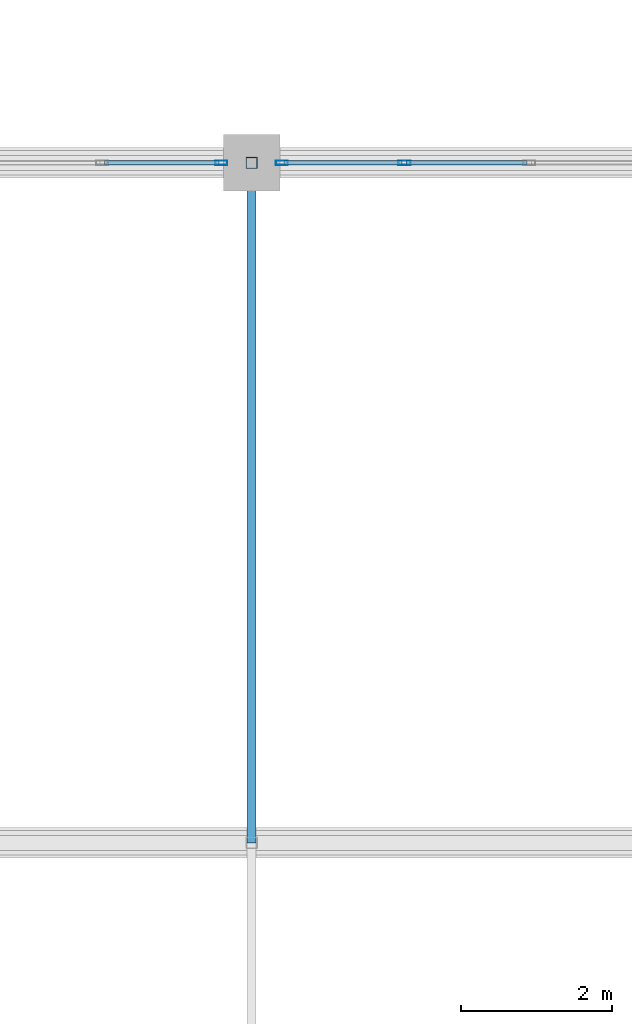
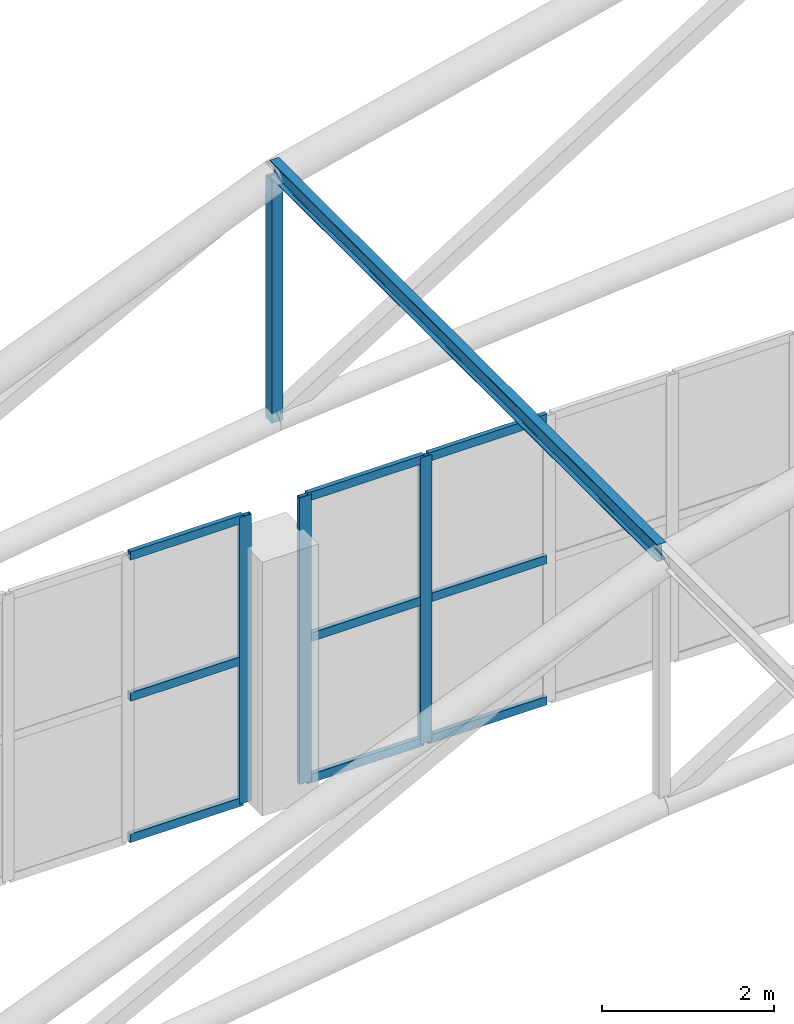
# One storey, part 103 of 167: 14 members, 2 elements without a shape of their own.
"""IFC4 building model written with IfcOpenShell, lengths in metres."""

from ifc_helpers import new_model, si_unit, direction, frame, origin, origin_2d, place, context, subcontext, project, spatial, hollow_rectangle, i_section, extrude, material, layer, layer_set, material_profile, profile_set, type_object, element, aggregate, save


model = new_model("IFC4")

# Units and contexts
model_context = context("Model", 3, precision=1e-05, world=origin(), true_north=direction((0.0, 1.0)))
body_context = subcontext(model_context, "Body", "Model", "MODEL_VIEW")
ifc_project = project(units=[si_unit("LENGTHUNIT", "METRE"), si_unit("AREAUNIT", "SQUARE_METRE"), si_unit("VOLUMEUNIT", "CUBIC_METRE"), si_unit("PLANEANGLEUNIT", "RADIAN"), si_unit("MASSUNIT", "GRAM", prefix="KILO")], contexts=[model_context])

# Site, building, storey
site_placement = place(None, origin())
site = spatial("IfcSite", under=ifc_project, at=site_placement, CompositionType="ELEMENT")
building_placement = place(site_placement, origin())
building = spatial("IfcBuilding", under=site, at=building_placement, Name="Dornveld Trade and Exhibition Forum", CompositionType="ELEMENT")
storey_placement = place(building_placement, frame((0.0, 0.0, 16.800048828125)))
storey = spatial("IfcBuildingStorey", under=building, at=storey_placement, Name="L03", CompositionType="ELEMENT", Elevation=16.800048828125)

# Curtain wall, member
ifc_material_1 = material(Name="Dark-bronze anodised aluminium and low-E glass", Category="aluminium")
ifc_layer_1 = layer(ifc_material_1, 0.18408203125)
ifc_layer_set_1 = layer_set([ifc_layer_1], Name="Dark-bronze anodised aluminium and low-E glass")
curtain_wall_type_1 = type_object("IfcCurtainWallType", Name="CW-SYS-14", PredefinedType="USERDEFINED", material=ifc_layer_set_1)
curtain_wall_1_placement = place(storey_placement, origin())
curtain_wall_1 = element("IfcCurtainWall", 1, at=curtain_wall_1_placement, inside=storey, type_object=curtain_wall_type_1, Name="L03 unitised curtain wall 32", ObjectType="UNITISED_CURTAIN_WALL", PredefinedType="USERDEFINED")
ifc_material_2 = material(Name="Dark-bronze anodised aluminium", Category="aluminium")
ifc_material_profile_1 = material_profile(ifc_material_2, hollow_rectangle(XDim=0.06005859375, YDim=0.159912109375, WallThickness=0.00390625, at=origin_2d()), Name="RHS 160x60x4")
ifc_profile_set_1 = profile_set([ifc_material_profile_1], Name="Dark-bronze anodised aluminium")
member_type_1 = type_object("IfcMemberType", Name="CW-MUL-160", PredefinedType="MULLION", material=ifc_profile_set_1)
member_1_placement = place(storey_placement, frame((35.59912109375, 135.0, -0.004150390625), z_axis=(0.0, 0.0, 1.0), x_axis=(0.0, -1.0, 0.0)))
member_1 = element("IfcMember", 2, at=member_1_placement, type_object=member_type_1, Name="CW-14 mullion 1", PredefinedType="MULLION", context=body_context, shape_type="SweptSolid", body=[
    extrude(hollow_rectangle(XDim=0.06005859375, YDim=0.159912109375, WallThickness=0.00390625, at=origin_2d()), origin(), (0.0, 0.0, 1.0), 4.064208984375),
])

# Curtain wall, members
ifc_material_3 = material(Name="Dark-bronze anodised aluminium and low-E glass", Category="aluminium")
ifc_layer_2 = layer(ifc_material_3, 0.18994140625)
ifc_layer_set_2 = layer_set([ifc_layer_2], Name="Dark-bronze anodised aluminium and low-E glass")
curtain_wall_type_2 = type_object("IfcCurtainWallType", Name="CW-SYS-16", PredefinedType="USERDEFINED", material=ifc_layer_set_2)
curtain_wall_2_placement = place(storey_placement, origin())
curtain_wall_2 = element("IfcCurtainWall", 3, at=curtain_wall_2_placement, inside=storey, type_object=curtain_wall_type_2, Name="L03 unitised curtain wall 34", ObjectType="UNITISED_CURTAIN_WALL", PredefinedType="USERDEFINED")
member_2_placement = place(storey_placement, frame((38.022705078125, 135.0, -0.004150390625), z_axis=(0.0, 0.0, 1.0), x_axis=(0.0, -1.0, 0.0)))
member_2 = element("IfcMember", 4, at=member_2_placement, type_object=member_type_1, Name="CW-16 mullion 5", PredefinedType="MULLION", context=body_context, shape_type="SweptSolid", body=[
    extrude(hollow_rectangle(XDim=0.06005859375, YDim=0.159912109375, WallThickness=0.00390625, at=origin_2d()), origin(), (0.0, 0.0, 1.0), 4.064208984375),
])
member_3_placement = place(storey_placement, frame((36.40087890625, 135.0, -0.004150390625), z_axis=(0.0, 0.0, 1.0), x_axis=(0.0, -1.0, 0.0)))
member_3 = element("IfcMember", 5, at=member_3_placement, type_object=member_type_1, Name="CW-16 mullion 6", PredefinedType="MULLION", context=body_context, shape_type="SweptSolid", body=[
    extrude(hollow_rectangle(XDim=0.06005859375, YDim=0.159912109375, WallThickness=0.00390625, at=origin_2d()), origin(), (0.0, 0.0, 1.0), 4.064208984375),
])

# Member
ifc_material_4 = material(Name="Dark-bronze anodised aluminium", Category="aluminium")
ifc_material_profile_2 = material_profile(ifc_material_4, hollow_rectangle(XDim=0.06005859375, YDim=0.1201171875, WallThickness=0.00390625, at=origin_2d()), Name="RHS 120x60x4")
ifc_profile_set_2 = profile_set([ifc_material_profile_2], Name="Dark-bronze anodised aluminium")
member_type_2 = type_object("IfcMemberType", Name="CW-TRN-120", PredefinedType="USERDEFINED", material=ifc_profile_set_2)
member_4_placement = place(storey_placement, frame((35.569091796875, 135.0, 0.02587890625), z_axis=(-1.0, 0.0, 0.0), x_axis=(0.0, -1.0, 0.0)))
member_4 = element("IfcMember", 6, at=member_4_placement, type_object=member_type_2, Name="CW-14 transom 1.1", ObjectType="TRANSOM", PredefinedType="USERDEFINED", context=body_context, shape_type="SweptSolid", body=[
    extrude(hollow_rectangle(XDim=0.06005859375, YDim=0.1201171875, WallThickness=0.00390625, at=origin_2d()), origin(), (0.0, 0.0, 1.0), 1.5166015625),
])

member_5_placement = place(storey_placement, frame((35.569091796875, 135.0, 2.02783203125), z_axis=(-1.0, 0.0, 0.0), x_axis=(0.0, -1.0, 0.0)))
member_5 = element("IfcMember", 7, at=member_5_placement, type_object=member_type_2, Name="CW-14 transom 1.2", ObjectType="TRANSOM", PredefinedType="USERDEFINED", context=body_context, shape_type="SweptSolid", body=[
    extrude(hollow_rectangle(XDim=0.06005859375, YDim=0.1201171875, WallThickness=0.00390625, at=origin_2d()), origin(), (0.0, 0.0, 1.0), 1.5166015625),
])

member_6_placement = place(storey_placement, frame((35.569091796875, 135.0, 4.030029296875), z_axis=(-1.0, 0.0, 0.0), x_axis=(0.0, -1.0, 0.0)))
member_6 = element("IfcMember", 8, at=member_6_placement, type_object=member_type_2, Name="CW-14 transom 1.3", ObjectType="TRANSOM", PredefinedType="USERDEFINED", context=body_context, shape_type="SweptSolid", body=[
    extrude(hollow_rectangle(XDim=0.06005859375, YDim=0.1201171875, WallThickness=0.00390625, at=origin_2d()), origin(), (0.0, 0.0, 1.0), 1.5166015625),
])

aggregate(curtain_wall_1, [member_1, member_4, member_5, member_6])

member_7_placement = place(storey_placement, frame((39.644287109375, 135.0, 0.02587890625), z_axis=(-1.0, 0.0, 0.0), x_axis=(0.0, -1.0, 0.0)))
member_7 = element("IfcMember", 9, at=member_7_placement, type_object=member_type_2, Name="CW-16 transom 4.1", ObjectType="TRANSOM", PredefinedType="USERDEFINED", context=body_context, shape_type="SweptSolid", body=[
    extrude(hollow_rectangle(XDim=0.06005859375, YDim=0.1201171875, WallThickness=0.00390625, at=origin_2d()), origin(), (0.0, 0.0, 1.0), 1.591796875),
])

member_8_placement = place(storey_placement, frame((39.644287109375, 135.0, 2.02783203125), z_axis=(-1.0, 0.0, 0.0), x_axis=(0.0, -1.0, 0.0)))
member_8 = element("IfcMember", 10, at=member_8_placement, type_object=member_type_2, Name="CW-16 transom 4.2", ObjectType="TRANSOM", PredefinedType="USERDEFINED", context=body_context, shape_type="SweptSolid", body=[
    extrude(hollow_rectangle(XDim=0.06005859375, YDim=0.1201171875, WallThickness=0.00390625, at=origin_2d()), origin(), (0.0, 0.0, 1.0), 1.591796875),
])

member_9_placement = place(storey_placement, frame((39.644287109375, 135.0, 4.030029296875), z_axis=(-1.0, 0.0, 0.0), x_axis=(0.0, -1.0, 0.0)))
member_9 = element("IfcMember", 11, at=member_9_placement, type_object=member_type_2, Name="CW-16 transom 4.3", ObjectType="TRANSOM", PredefinedType="USERDEFINED", context=body_context, shape_type="SweptSolid", body=[
    extrude(hollow_rectangle(XDim=0.06005859375, YDim=0.1201171875, WallThickness=0.00390625, at=origin_2d()), origin(), (0.0, 0.0, 1.0), 1.591796875),
])

member_10_placement = place(storey_placement, frame((37.99267578125, 135.0, 0.02587890625), z_axis=(-1.0, 0.0, 0.0), x_axis=(0.0, -1.0, 0.0)))
member_10 = element("IfcMember", 12, at=member_10_placement, type_object=member_type_2, Name="CW-16 transom 5.1", ObjectType="TRANSOM", PredefinedType="USERDEFINED", context=body_context, shape_type="SweptSolid", body=[
    extrude(hollow_rectangle(XDim=0.06005859375, YDim=0.1201171875, WallThickness=0.00390625, at=origin_2d()), origin(), (0.0, 0.0, 1.0), 1.561767578125),
])

member_11_placement = place(storey_placement, frame((37.99267578125, 135.0, 2.02783203125), z_axis=(-1.0, 0.0, 0.0), x_axis=(0.0, -1.0, 0.0)))
member_11 = element("IfcMember", 13, at=member_11_placement, type_object=member_type_2, Name="CW-16 transom 5.2", ObjectType="TRANSOM", PredefinedType="USERDEFINED", context=body_context, shape_type="SweptSolid", body=[
    extrude(hollow_rectangle(XDim=0.06005859375, YDim=0.1201171875, WallThickness=0.00390625, at=origin_2d()), origin(), (0.0, 0.0, 1.0), 1.561767578125),
])

member_12_placement = place(storey_placement, frame((37.99267578125, 135.0, 4.030029296875), z_axis=(-1.0, 0.0, 0.0), x_axis=(0.0, -1.0, 0.0)))
member_12 = element("IfcMember", 14, at=member_12_placement, type_object=member_type_2, Name="CW-16 transom 5.3", ObjectType="TRANSOM", PredefinedType="USERDEFINED", context=body_context, shape_type="SweptSolid", body=[
    extrude(hollow_rectangle(XDim=0.06005859375, YDim=0.1201171875, WallThickness=0.00390625, at=origin_2d()), origin(), (0.0, 0.0, 1.0), 1.561767578125),
])

aggregate(curtain_wall_2, [member_2, member_3, member_7, member_8, member_9, member_10, member_11, member_12])

# Members
ifc_material_5 = material(Name="Steel S355J2", Category="steel")
ifc_material_profile_3 = material_profile(ifc_material_5, hollow_rectangle(XDim=0.14990234375, YDim=0.14990234375, WallThickness=0.008056640625, at=origin_2d()), Name="SHS 150x150x8")
ifc_profile_set_3 = profile_set([ifc_material_profile_3], Name="Steel S355J2")
member_type_3 = type_object("IfcMemberType", Name="MEM-ARCH-STR", PredefinedType="STRUT", material=ifc_profile_set_3)
member_13_placement = place(storey_placement, frame((36.0, 135.0, 5.283203125), z_axis=(0.0, 0.0, 1.0), x_axis=(1.0, 0.0, 0.0)))
element("IfcMember", 15, at=member_13_placement, inside=storey, type_object=member_type_3, Name="H3 truss 12 strut 2", PredefinedType="STRUT", context=body_context, shape_type="SweptSolid", body=[
    extrude(hollow_rectangle(XDim=0.14990234375, YDim=0.14990234375, WallThickness=0.008056640625, at=origin_2d()), origin(), (0.0, 0.0, 1.0), 3.433349609375),
])
ifc_material_6 = material(Name="Steel S355J2", Category="steel")
ifc_material_profile_4 = material_profile(ifc_material_6, i_section(OverallWidth=0.1201171875, OverallDepth=0.239990234375, WebThickness=0.006103515625, FlangeThickness=0.009765625, FilletRadius=0.014892578125, at=origin_2d()), Name="IPE 240")
ifc_profile_set_4 = profile_set([ifc_material_profile_4], Name="Steel S355J2")
member_type_4 = type_object("IfcMemberType", Name="MEM-PURLIN-240", PredefinedType="PURLIN", material=ifc_profile_set_4)
member_14_placement = place(storey_placement, frame((36.0, 126.0, 8.8486328125), z_axis=(0.0, 1.0, 0.0), x_axis=(-1.0, 0.0, 0.0)))
element("IfcMember", 16, at=member_14_placement, inside=storey, type_object=member_type_4, Name="H3 bay 11 roof purlin 2", PredefinedType="PURLIN", context=body_context, shape_type="SweptSolid", body=[
    extrude(i_section(OverallWidth=0.1201171875, OverallDepth=0.239990234375, WebThickness=0.006103515625, FlangeThickness=0.009765625, FilletRadius=0.014892578125, at=origin_2d()), origin(), (0.0, 0.0, 1.0), 9.0),
])

save(model, "model.ifc")
